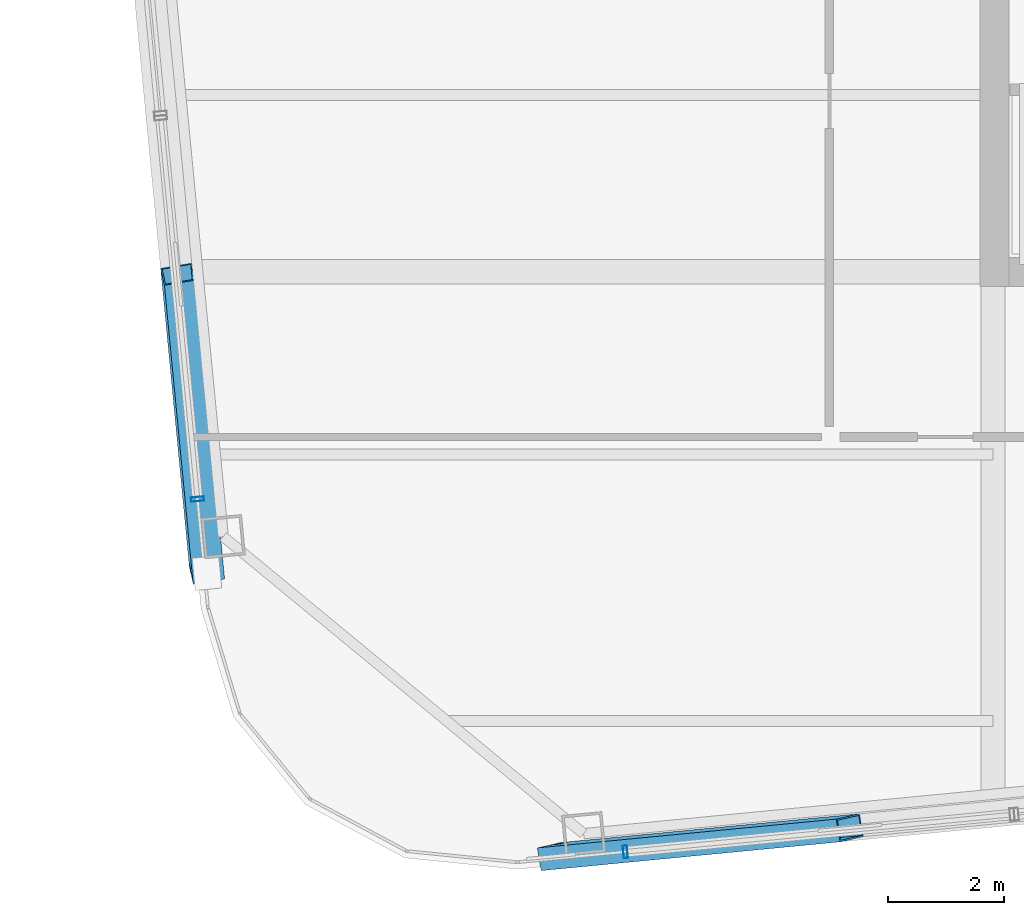
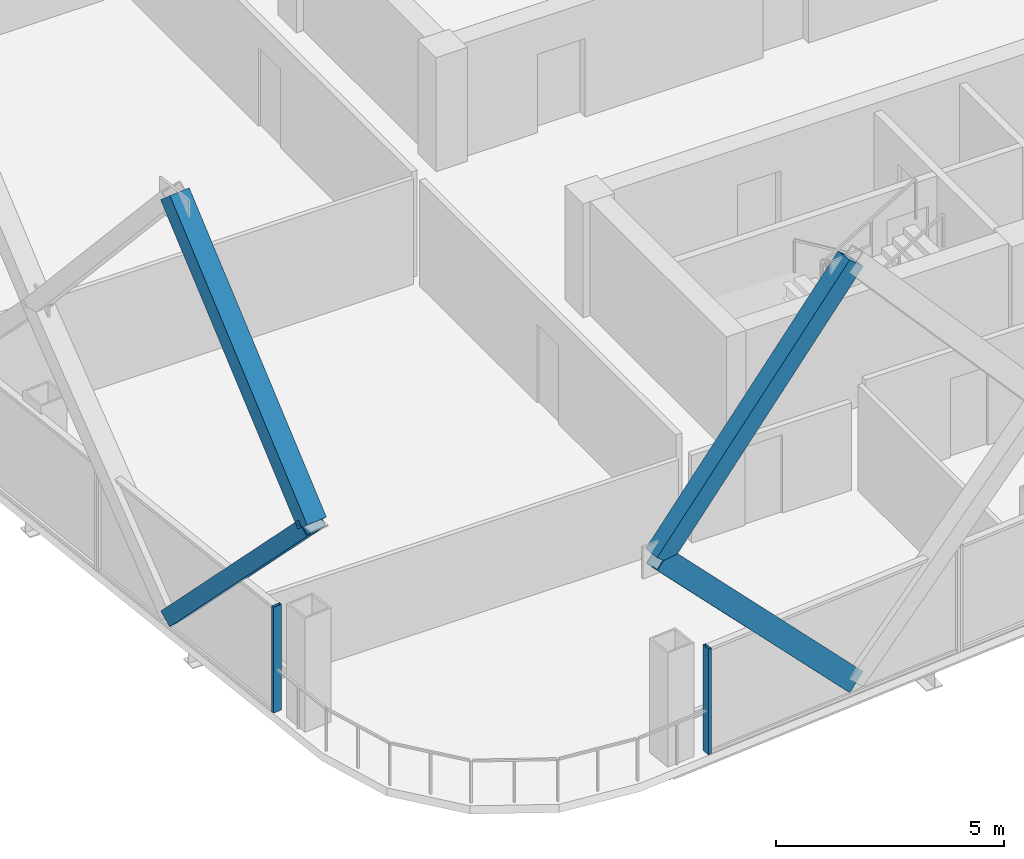
# One storey, part 2 of 34: 6 members, 2 elements without a shape of their own.
"""IFC4 building model written with IfcOpenShell, lengths in metres."""

from ifc_helpers import new_model, si_unit, direction, frame, origin, origin_2d, place, context, subcontext, project, spatial, hollow_rectangle, extrude, material, layer, layer_set, material_profile, profile_set, type_object, element, aggregate, save


model = new_model("IFC4")

# Units and contexts
model_context = context("Model", 3, precision=1e-05, world=origin(), true_north=direction((0.0, 1.0)))
body_context = subcontext(model_context, "Body", "Model", "MODEL_VIEW")
ifc_project = project(units=[si_unit("LENGTHUNIT", "METRE"), si_unit("AREAUNIT", "SQUARE_METRE"), si_unit("VOLUMEUNIT", "CUBIC_METRE"), si_unit("PLANEANGLEUNIT", "RADIAN"), si_unit("MASSUNIT", "GRAM", prefix="KILO")], contexts=[model_context])

# Site, building, storey
site_placement = place(None, origin())
site = spatial("IfcSite", under=ifc_project, at=site_placement, CompositionType="ELEMENT")
building_placement = place(site_placement, origin())
building = spatial("IfcBuilding", under=site, at=building_placement, Name="Qhalaya Broadcast Tower", CompositionType="ELEMENT")
storey_placement = place(building_placement, frame((0.0, 0.0, 168.35009765625)))
storey = spatial("IfcBuildingStorey", under=building, at=storey_placement, Name="L49", CompositionType="ELEMENT", Elevation=168.35009765625)

# Members
ifc_material_1 = material(Name="Structural Steel ASTM A572 Grade 50", Category="steel")
ifc_material_profile_1 = material_profile(ifc_material_1, hollow_rectangle(XDim=0.39990234375, YDim=0.550048828125, WallThickness=0.02490234375, at=origin_2d()), Name="BOX 400x550x25")
ifc_profile_set_1 = profile_set([ifc_material_profile_1], Name="Structural Steel ASTM A572 Grade 50")
member_type_1 = type_object("IfcMemberType", Name="Exoskeleton Diamond Diagonal Mid-High EX3", PredefinedType="BRACE", material=ifc_profile_set_1)
member_1_placement = place(storey_placement, frame((-11.84716796875, -18.346923828125, 0.35986328125), z_axis=(-0.690615647814, -0.066502760768, 0.72015790616), x_axis=(0.164116501784, -0.984196976573, 0.066498760488)))
element("IfcMember", 1, at=member_1_placement, inside=storey, type_object=member_type_1, Name="B4 Exoskeleton Diamond Brace S1-D1", PredefinedType="BRACE", context=body_context, shape_type="SweptSolid", body=[
    extrude(hollow_rectangle(XDim=0.39990234375, YDim=0.550048828125, WallThickness=0.02490234375, at=origin_2d()), origin(), (0.0, 0.0, 1.0), 7.470703125),
])
member_2_placement = place(storey_placement, frame((-17.006591796875, -18.84375, 5.739990234375), z_axis=(0.659492058015, 0.063505717979, 0.749024198007), x_axis=(-0.166870474322, 0.983931783079, 0.063501897979)))
element("IfcMember", 2, at=member_2_placement, inside=storey, type_object=member_type_1, Name="B4 Exoskeleton Diamond Brace S1-D3", PredefinedType="BRACE", context=body_context, shape_type="SweptSolid", body=[
    extrude(hollow_rectangle(XDim=0.39990234375, YDim=0.550048828125, WallThickness=0.02490234375, at=origin_2d()), origin(), (0.0, 0.0, 1.0), 7.8232421875),
])
member_3_placement = place(storey_placement, frame((-23.439697265625, -8.790771484375, 0.35986328125), z_axis=(0.066470225701, -0.690617148349, 0.720159470883), x_axis=(-0.164082006329, 0.704364126815, 0.690614416339)))
element("IfcMember", 3, at=member_3_placement, inside=storey, type_object=member_type_1, Name="B4 Exoskeleton Diamond Brace W3-D2", PredefinedType="BRACE", context=body_context, shape_type="SweptSolid", body=[
    extrude(hollow_rectangle(XDim=0.39990234375, YDim=0.550048828125, WallThickness=0.02490234375, at=origin_2d()), origin(), (0.0, 0.0, 1.0), 7.470703125),
])
member_4_placement = place(storey_placement, frame((-22.943115234375, -13.9501953125, 5.739990234375), z_axis=(-0.063474637002, 0.659493364683, 0.749025682067), x_axis=(0.166834797417, -0.732965274342, 0.659490755796)))
element("IfcMember", 4, at=member_4_placement, inside=storey, type_object=member_type_1, Name="B4 Exoskeleton Diamond Brace W3-D4", PredefinedType="BRACE", context=body_context, shape_type="SweptSolid", body=[
    extrude(hollow_rectangle(XDim=0.39990234375, YDim=0.550048828125, WallThickness=0.02490234375, at=origin_2d()), origin(), (0.0, 0.0, 1.0), 7.8232421875),
])

# Curtain wall, member
ifc_material_2 = material(Name="Fired Architectural Terracotta", Category="masonry")
ifc_layer = layer(ifc_material_2, 0.219970703125, Name="Fired Architectural Terracotta")
ifc_layer_set = layer_set([ifc_layer], Name="Fired Architectural Terracotta")
curtain_wall_type = type_object("IfcCurtainWallType", Name="Block-Cap Unitised Terracotta Spandrel Wall CW-07", PredefinedType="NOTDEFINED", material=ifc_layer_set)
curtain_wall_1_placement = place(storey_placement, origin())
curtain_wall_1 = element("IfcCurtainWall", 5, at=curtain_wall_1_placement, inside=storey, type_object=curtain_wall_type, Name="L49 Unitised Curtain Wall L49-CW-S1", PredefinedType="NOTDEFINED")
ifc_material_3 = material(Name="Anodised Aluminium 6063-T6", Category="aluminium")
ifc_material_profile_2 = material_profile(ifc_material_3, hollow_rectangle(XDim=0.074951171875, YDim=0.219970703125, WallThickness=0.00390625, at=origin_2d()), Name="ALU-MUL 75x220x4")
ifc_profile_set_2 = profile_set([ifc_material_profile_2], Name="Anodised Aluminium 6063-T6")
member_type_2 = type_object("IfcMemberType", Name="Unitised Curtain-Wall Mullion M01", PredefinedType="MULLION", material=ifc_profile_set_2)
member_5_placement = place(storey_placement, frame((-15.72119140625, -18.76025390625, 0.0), z_axis=(0.0, 0.0, 1.0), x_axis=(0.99539669829, 0.095840560477, 0.0)))
member_5 = element("IfcMember", 6, at=member_5_placement, type_object=member_type_2, Name="CW-07 mullion 1", PredefinedType="MULLION", context=body_context, shape_type="SweptSolid", body=[
    extrude(hollow_rectangle(XDim=0.074951171875, YDim=0.219970703125, WallThickness=0.00390625, at=origin_2d()), origin(), (0.0, 0.0, 1.0), 2.829833984375),
])
aggregate(curtain_wall_1, [member_5])

curtain_wall_2_placement = place(storey_placement, origin())
curtain_wall_2 = element("IfcCurtainWall", 7, at=curtain_wall_2_placement, inside=storey, type_object=curtain_wall_type, Name="L49 Unitised Curtain Wall L49-CW-W5", PredefinedType="NOTDEFINED")
member_6_placement = place(storey_placement, frame((-23.106201171875, -12.67236328125, 0.0), z_axis=(0.0, 0.0, 1.0), x_axis=(0.095842362816, -0.995396524753, 0.0)))
member_6 = element("IfcMember", 8, at=member_6_placement, type_object=member_type_2, Name="CW-07 mullion 2", PredefinedType="MULLION", context=body_context, shape_type="SweptSolid", body=[
    extrude(hollow_rectangle(XDim=0.074951171875, YDim=0.219970703125, WallThickness=0.00390625, at=origin_2d()), origin(), (0.0, 0.0, 1.0), 2.829833984375),
])
aggregate(curtain_wall_2, [member_6])

save(model, "model.ifc")
